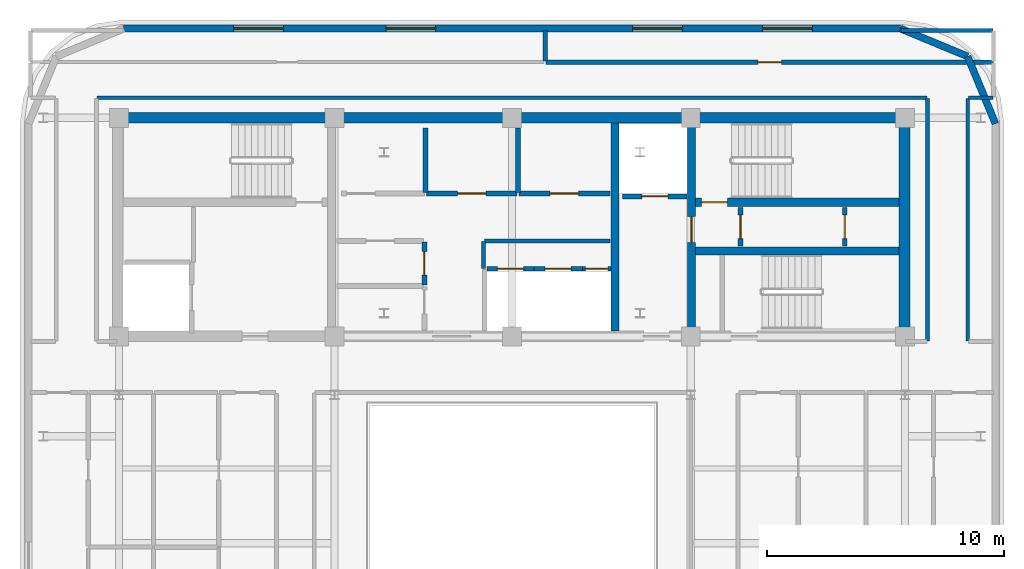
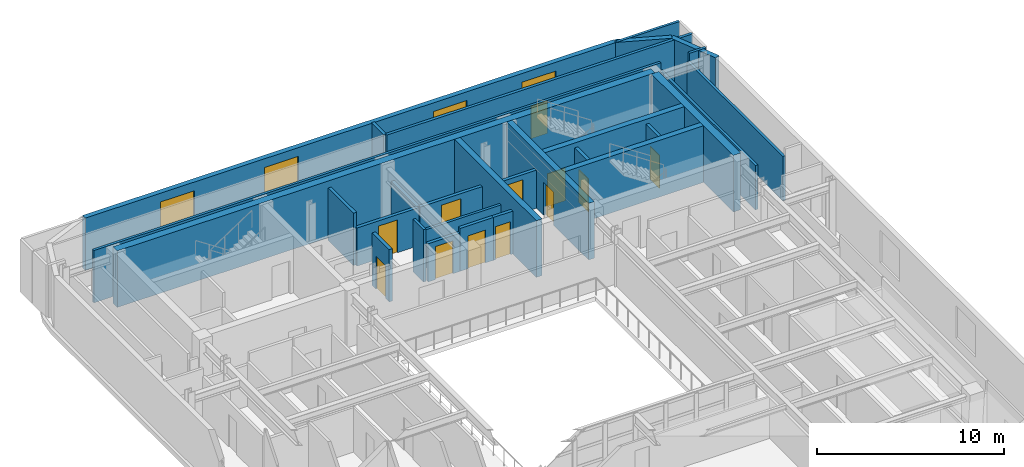
# One storey, part 9 of 13: 29 walls, 12 doors, 4 windows, 16 openings.
"""IFC4 building model written with IfcOpenShell, lengths in metres."""

from ifc_helpers import new_model, si_unit, direction, frame, frame_2d, origin, place, context, subcontext, project, spatial, rectangle, extrude, material, layer, layer_set, type_object, element, fill, save


model = new_model("IFC4")

# Units and contexts
model_context = context("Model", 3, precision=1e-05, world=origin(), true_north=direction((0.0, 1.0)))
body_context = subcontext(model_context, "Body", "Model", "MODEL_VIEW")
ifc_project = project(units=[si_unit("LENGTHUNIT", "METRE"), si_unit("AREAUNIT", "SQUARE_METRE"), si_unit("VOLUMEUNIT", "CUBIC_METRE"), si_unit("PLANEANGLEUNIT", "RADIAN"), si_unit("MASSUNIT", "GRAM", prefix="KILO")], contexts=[model_context])

# Site, building, storey
site_placement = place(None, origin())
site = spatial("IfcSite", under=ifc_project, at=site_placement, CompositionType="ELEMENT")
building_placement = place(site_placement, origin())
building = spatial("IfcBuilding", under=site, at=building_placement, Name="Zarnavel Station Tower", CompositionType="ELEMENT")
storey_placement = place(building_placement, frame((0.0, 0.0, 254.699951171875)))
storey = spatial("IfcBuildingStorey", under=building, at=storey_placement, Name="L69", CompositionType="ELEMENT", Elevation=254.699951171875)

# Wall
ifc_material_1 = material(Name="Concrete C50/60", Category="concrete")
ifc_layer_1 = layer(ifc_material_1, 0.35009765625)
ifc_layer_set_1 = layer_set([ifc_layer_1], Name="CW_350")
wall_type_1 = type_object("IfcWallType", Name="CW_350", PredefinedType="SHEAR", material=ifc_layer_set_1)
wall_1_placement = place(storey_placement, frame((33.14990234375, 28.044921875, 0.0), z_axis=(0.0, 0.0, 1.0), x_axis=(0.0, 1.0, 0.0)))
element("IfcWall", 1, at=wall_1_placement, inside=storey, type_object=wall_type_1, Name="L69 Rear Core Shear Wall DIV-E", PredefinedType="SHEAR", context=body_context, shape_type="SweptSolid", body=[
    extrude(rectangle(XDim=8.780029296875, YDim=0.35009765625, at=frame_2d((4.39013671875, 0.0))), origin(), (0.0, 0.0, 1.0), 3.699951171875),
])

# Wall, opening, door
wall_2_placement = place(storey_placement, frame((36.3798828125, 28.044921875, 0.0), z_axis=(0.0, 0.0, 1.0), x_axis=(0.0, 1.0, 0.0)))
wall_2 = element("IfcWall", 2, at=wall_2_placement, inside=storey, type_object=wall_type_1, Name="L69 Rear Core Shear Wall DIV-S2", PredefinedType="SHEAR", context=body_context, shape_type="SweptSolid", body=[
    extrude(rectangle(XDim=8.780029296875, YDim=0.35009765625, at=frame_2d((4.39013671875, 0.0))), origin(), (0.0, 0.0, 1.0), 3.699951171875),
])
opening_1_placement = place(wall_2_placement, frame((3.735107421875, 0.0, 0.0)))
opening_1 = element("IfcOpeningElement", 3, at=opening_1_placement, cuts=wall_2, Name="Opening FD01", PredefinedType="OPENING", context=body_context, shape_type="SweptSolid", body=[
    extrude(rectangle(XDim=1.10009765625, YDim=2.14990234375, at=frame_2d((0.550048828125, 1.074951171875))), frame((0.0, 0.18505859375, 0.0), z_axis=(0.0, -1.0, 0.0), x_axis=(1.0, 0.0, 0.0)), (0.0, 0.0, 1.0), 0.3701171875),
])
ifc_material_2 = material(Name="Painted Galvanised Steel and Hardwood Leaf", Category="steel")
door_type_1 = type_object("IfcDoorType", Name="ID_STAIR_1100", OperationType="NOTDEFINED", PredefinedType="DOOR", material=ifc_material_2)
door_1_placement = place(opening_1_placement, origin())
door_1 = element("IfcDoor", 4, at=door_1_placement, inside=storey, type_object=door_type_1, Name="L69 East Stair Vestibule Fire Door", OperationType="SINGLE_SWING_LEFT", OverallHeight=2.14990234375, OverallWidth=1.10009765625, PredefinedType="DOOR", context=body_context, shape_type="SweptSolid", body=[
    extrude(rectangle(XDim=1.10009765625, YDim=2.14990234375, at=frame_2d((0.550048828125, 1.074951171875))), frame((0.0, 0.02490234375, 0.0), z_axis=(0.0, -1.0, 0.0), x_axis=(1.0, 0.0, 0.0)), (0.0, 0.0, 1.0), 0.050048828125),
])
fill(opening_1, door_1)

wall_3_placement = place(storey_placement, frame((45.155029296875, 33.47998046875, 0.0), z_axis=(0.0, 0.0, 1.0), x_axis=(-1.0, 0.0, 0.0)))
wall_3 = element("IfcWall", 5, at=wall_3_placement, inside=storey, type_object=wall_type_1, Name="L69 Rear Core Shear Wall DIV-H2", PredefinedType="SHEAR", context=body_context, shape_type="SweptSolid", body=[
    extrude(rectangle(XDim=8.60009765625, YDim=0.35009765625, at=frame_2d((4.300048828125, 0.0))), origin(), (0.0, 0.0, 1.0), 3.699951171875),
])
opening_2_placement = place(wall_3_placement, frame((7.2548828125, 0.0, 0.0)))
opening_2 = element("IfcOpeningElement", 6, at=opening_2_placement, cuts=wall_3, Name="Opening FD01", PredefinedType="OPENING", context=body_context, shape_type="SweptSolid", body=[
    extrude(rectangle(XDim=1.10009765625, YDim=2.14990234375, at=frame_2d((0.550048828125, 1.074951171875))), frame((0.0, 0.18505859375, 0.0), z_axis=(0.0, -1.0, 0.0), x_axis=(1.0, 0.0, 0.0)), (0.0, 0.0, 1.0), 0.3701171875),
])
door_2_placement = place(opening_2_placement, origin())
door_2 = element("IfcDoor", 7, at=door_2_placement, inside=storey, type_object=door_type_1, Name="L69 Stair ST2 Lobby Fire Door", OperationType="SINGLE_SWING_RIGHT", OverallHeight=2.14990234375, OverallWidth=1.10009765625, PredefinedType="DOOR", context=body_context, shape_type="SweptSolid", body=[
    extrude(rectangle(XDim=1.10009765625, YDim=2.14990234375, at=frame_2d((0.550048828125, 1.074951171875))), frame((0.0, 0.02490234375, 0.0), z_axis=(0.0, -1.0, 0.0), x_axis=(1.0, 0.0, 0.0)), (0.0, 0.0, 1.0), 0.050048828125),
])
fill(opening_2, door_2)

# Walls
wall_4_placement = place(storey_placement, frame((36.554931640625, 31.419921875, 0.0), z_axis=(0.0, 0.0, 1.0), x_axis=(1.0, 0.0, 0.0)))
element("IfcWall", 8, at=wall_4_placement, inside=storey, type_object=wall_type_1, Name="L69 Rear Core Shear Wall DIV-H3", PredefinedType="SHEAR", context=body_context, shape_type="SweptSolid", body=[
    extrude(rectangle(XDim=8.60009765625, YDim=0.35009765625, at=frame_2d((4.300048828125, 0.0))), origin(), (0.0, 0.0, 1.0), 3.699951171875),
])
ifc_material_3 = material(Name="Concrete C50/60", Category="concrete")
ifc_layer_2 = layer(ifc_material_3, 0.449951171875)
ifc_layer_set_2 = layer_set([ifc_layer_2], Name="CW_450")
wall_type_2 = type_object("IfcWallType", Name="CW_450", PredefinedType="SHEAR", material=ifc_layer_set_2)
wall_5_placement = place(storey_placement, frame((12.14990234375, 37.050048828125, 0.0), z_axis=(0.0, 0.0, 1.0), x_axis=(1.0, 0.0, 0.0)))
element("IfcWall", 9, at=wall_5_placement, inside=storey, type_object=wall_type_2, Name="L69 Rear Core Shear Wall N", PredefinedType="SHEAR", context=body_context, shape_type="SweptSolid", body=[
    extrude(rectangle(XDim=33.22998046875, YDim=0.449951171875, at=frame_2d((16.614990234375, 0.0))), origin(), (0.0, 0.0, 1.0), 3.699951171875),
])
wall_6_placement = place(storey_placement, frame((45.3798828125, 28.044921875, 0.0), z_axis=(0.0, 0.0, 1.0), x_axis=(0.0, 1.0, 0.0)))
element("IfcWall", 10, at=wall_6_placement, inside=storey, type_object=wall_type_2, Name="L69 Rear Core Shear Wall E", PredefinedType="SHEAR", context=body_context, shape_type="SweptSolid", body=[
    extrude(rectangle(XDim=8.780029296875, YDim=0.449951171875, at=frame_2d((4.39013671875, 0.0))), origin(), (0.0, 0.0, 1.0), 3.699951171875),
])
ifc_material_4 = material(Name="Precast concrete C45/55 (Dark Basalt Finish)", Category="masonry")
ifc_layer_3 = layer(ifc_material_4, 0.300048828125)
ifc_layer_set_3 = layer_set([ifc_layer_3], Name="EW_BASALT_300")
wall_type_3 = type_object("IfcWallType", Name="EW_BASALT_300", PredefinedType="SOLIDWALL", material=ifc_layer_set_3)
for number, where, z_axis, x_axis, name in (
    (11, (48.04248046875, 39.642578125, 0.0), (0.0, 0.0, 1.0), (0.382704529509, -0.923870793506, 0.0), "L69 Exterior Basalt Masonry Frame Wall 04"),
    (12, (45.199951171875, 40.820068359375, 0.0), (0.0, 0.0, 1.0), (0.923870793506, -0.382704529509, 0.0), "L69 Exterior Basalt Masonry Frame Wall 05"),
):
    element("IfcWall", number, at=place(storey_placement, frame(where, z_axis=z_axis, x_axis=x_axis)), inside=storey, type_object=wall_type_3, Name=name, PredefinedType="SOLIDWALL", context=body_context, shape_type="SweptSolid", body=[
        extrude(rectangle(XDim=3.07666015625, YDim=0.300048828125, at=frame_2d((1.538330078125, 0.0))), origin(), (0.0, 0.0, 1.0), 3.420166015625),
    ])

# Wall, openings, windows
wall_7_placement = place(storey_placement, frame((12.39990234375, 40.820068359375, 0.0), z_axis=(0.0, 0.0, 1.0), x_axis=(1.0, 0.0, 0.0)))
wall_7 = element("IfcWall", 13, at=wall_7_placement, inside=storey, type_object=wall_type_3, Name="L69 Exterior Basalt Masonry Frame Wall 06", PredefinedType="SOLIDWALL", context=body_context, shape_type="SweptSolid", body=[
    extrude(rectangle(XDim=32.800048828125, YDim=0.300048828125, at=frame_2d((16.39990234375, 0.0))), origin(), (0.0, 0.0, 1.0), 3.420166015625),
])
opening_3_placement = place(wall_7_placement, frame((4.646728515625, 0.0, 0.75)))
opening_3 = element("IfcOpeningElement", 14, at=opening_3_placement, cuts=wall_7, Name="Opening WN05", PredefinedType="OPENING", context=body_context, shape_type="SweptSolid", body=[
    extrude(rectangle(XDim=2.10009765625, YDim=2.10009765625, at=frame_2d((1.050048828125, 1.050048828125))), frame((0.0, 0.159912109375, 0.0), z_axis=(0.0, -1.0, 0.0), x_axis=(1.0, 0.0, 0.0)), (0.0, 0.0, 1.0), 0.320068359375),
])
opening_4_placement = place(wall_7_placement, frame((11.0732421875, 0.0, 0.75)))
opening_4 = element("IfcOpeningElement", 15, at=opening_4_placement, cuts=wall_7, Name="Opening WN05", PredefinedType="OPENING", context=body_context, shape_type="SweptSolid", body=[
    extrude(rectangle(XDim=2.10009765625, YDim=2.10009765625, at=frame_2d((1.050048828125, 1.050048828125))), frame((0.0, 0.159912109375, 0.0), z_axis=(0.0, -1.0, 0.0), x_axis=(1.0, 0.0, 0.0)), (0.0, 0.0, 1.0), 0.320068359375),
])
opening_5_placement = place(wall_7_placement, frame((21.493408203125, 0.0, 0.75)))
opening_5 = element("IfcOpeningElement", 16, at=opening_5_placement, cuts=wall_7, Name="Opening WN05", PredefinedType="OPENING", context=body_context, shape_type="SweptSolid", body=[
    extrude(rectangle(XDim=2.10009765625, YDim=2.10009765625, at=frame_2d((1.050048828125, 1.050048828125))), frame((0.0, 0.159912109375, 0.0), z_axis=(0.0, -1.0, 0.0), x_axis=(1.0, 0.0, 0.0)), (0.0, 0.0, 1.0), 0.320068359375),
])
opening_6_placement = place(wall_7_placement, frame((26.98681640625, 0.0, 0.75)))
opening_6 = element("IfcOpeningElement", 17, at=opening_6_placement, cuts=wall_7, Name="Opening WN05", PredefinedType="OPENING", context=body_context, shape_type="SweptSolid", body=[
    extrude(rectangle(XDim=2.10009765625, YDim=2.10009765625, at=frame_2d((1.050048828125, 1.050048828125))), frame((0.0, 0.159912109375, 0.0), z_axis=(0.0, -1.0, 0.0), x_axis=(1.0, 0.0, 0.0)), (0.0, 0.0, 1.0), 0.320068359375),
])
ifc_material_5 = material(Name="Thermally Broken Black Aluminium and Low-E Dark Glass", Category="aluminium")
window_type = type_object("IfcWindowType", Name="WN_2100x2100", PartitioningType="TRIPLE_PANEL_VERTICAL", PredefinedType="WINDOW", material=ifc_material_5)
window_1_placement = place(opening_3_placement, origin())
window_1 = element("IfcWindow", 18, at=window_1_placement, inside=storey, type_object=window_type, Name="L69 Recessed Facade Window 01", OverallHeight=2.10009765625, OverallWidth=2.10009765625, PartitioningType="SINGLE_PANEL", PredefinedType="WINDOW", context=body_context, shape_type="SweptSolid", body=[
    extrude(rectangle(XDim=2.10009765625, YDim=2.10009765625, at=frame_2d((1.050048828125, 1.050048828125))), frame((0.0, 0.030029296875, 0.0), z_axis=(0.0, -1.0, 0.0), x_axis=(1.0, 0.0, 0.0)), (0.0, 0.0, 1.0), 0.06005859375),
])
fill(opening_3, window_1)
window_2_placement = place(opening_4_placement, origin())
window_2 = element("IfcWindow", 19, at=window_2_placement, inside=storey, type_object=window_type, Name="L69 Recessed Facade Window 02", OverallHeight=2.10009765625, OverallWidth=2.10009765625, PartitioningType="SINGLE_PANEL", PredefinedType="WINDOW", context=body_context, shape_type="SweptSolid", body=[
    extrude(rectangle(XDim=2.10009765625, YDim=2.10009765625, at=frame_2d((1.050048828125, 1.050048828125))), frame((0.0, 0.030029296875, 0.0), z_axis=(0.0, -1.0, 0.0), x_axis=(1.0, 0.0, 0.0)), (0.0, 0.0, 1.0), 0.06005859375),
])
fill(opening_4, window_2)
window_3_placement = place(opening_5_placement, origin())
window_3 = element("IfcWindow", 20, at=window_3_placement, inside=storey, type_object=window_type, Name="L69 Recessed Facade Window 03", OverallHeight=2.10009765625, OverallWidth=2.10009765625, PartitioningType="SINGLE_PANEL", PredefinedType="WINDOW", context=body_context, shape_type="SweptSolid", body=[
    extrude(rectangle(XDim=2.10009765625, YDim=2.10009765625, at=frame_2d((1.050048828125, 1.050048828125))), frame((0.0, 0.030029296875, 0.0), z_axis=(0.0, -1.0, 0.0), x_axis=(1.0, 0.0, 0.0)), (0.0, 0.0, 1.0), 0.06005859375),
])
fill(opening_5, window_3)
window_4_placement = place(opening_6_placement, origin())
window_4 = element("IfcWindow", 21, at=window_4_placement, inside=storey, type_object=window_type, Name="L69 Recessed Facade Window 04", OverallHeight=2.10009765625, OverallWidth=2.10009765625, PartitioningType="SINGLE_PANEL", PredefinedType="WINDOW", context=body_context, shape_type="SweptSolid", body=[
    extrude(rectangle(XDim=2.10009765625, YDim=2.10009765625, at=frame_2d((1.050048828125, 1.050048828125))), frame((0.0, 0.030029296875, 0.0), z_axis=(0.0, -1.0, 0.0), x_axis=(1.0, 0.0, 0.0)), (0.0, 0.0, 1.0), 0.06005859375),
])
fill(opening_6, window_4)

# Walls
ifc_material_6 = material(Name="Gypsum Twin-Stud Acoustic Fire Partition", Category="concrete")
ifc_layer_4 = layer(ifc_material_6, 0.159912109375)
ifc_layer_set_4 = layer_set([ifc_layer_4], Name="PT_DEMISE_160")
wall_type_4 = type_object("IfcWallType", Name="PT_DEMISE_160", PredefinedType="PARTITIONING", material=ifc_layer_set_4)
wall_8_placement = place(storey_placement, frame((27.6298828125, 31.85009765625, 0.0), z_axis=(0.0, 0.0, 1.0), x_axis=(1.0, 0.0, 0.0)))
element("IfcWall", 22, at=wall_8_placement, inside=storey, type_object=wall_type_4, Name="L69 Enclosure Wall LLOB", PredefinedType="PARTITIONING", context=body_context, shape_type="SweptSolid", body=[
    extrude(rectangle(XDim=5.31005859375, YDim=0.159912109375, at=frame_2d((2.655029296875, 0.0))), origin(), (0.0, 0.0, 1.0), 2.489990234375),
])
wall_9_placement = place(storey_placement, frame((27.60009765625, 30.679931640625, 0.0), z_axis=(0.0, 0.0, 1.0), x_axis=(0.0, 1.0, 0.0)))
element("IfcWall", 23, at=wall_9_placement, inside=storey, type_object=wall_type_4, Name="L69 Enclosure Wall LLOBS", PredefinedType="PARTITIONING", context=body_context, shape_type="SweptSolid", body=[
    extrude(rectangle(XDim=1.14013671875, YDim=0.159912109375, at=frame_2d((0.570068359375, 0.0))), origin(), (0.0, 0.0, 1.0), 3.420166015625),
])
for number, where, z_axis, x_axis, name in (
    (24, (46.35009765625, 27.6298828125, 0.0), (0.0, 0.0, 1.0), (0.0, 1.0, 0.0), "L69 Enclosure Wall COR-E"),
    (25, (48.050048828125, 27.6298828125, 0.0), (0.0, 0.0, 1.0), (0.0, 1.0, 0.0), "L69 Enclosure Wall COR-E"),
):
    element("IfcWall", number, at=place(storey_placement, frame(where, z_axis=z_axis, x_axis=x_axis)), inside=storey, type_object=wall_type_4, Name=name, PredefinedType="PARTITIONING", context=body_context, shape_type="SweptSolid", body=[
        extrude(rectangle(XDim=10.240234375, YDim=0.159912109375, at=frame_2d((5.1201171875, 0.0))), origin(), (0.0, 0.0, 1.0), 2.900146484375),
    ])
wall_10_placement = place(storey_placement, frame((11.280029296875, 37.89990234375, 0.0), z_axis=(0.0, 0.0, 1.0), x_axis=(1.0, 0.0, 0.0)))
element("IfcWall", 26, at=wall_10_placement, inside=storey, type_object=wall_type_4, Name="L69 Enclosure Wall COR-N", PredefinedType="PARTITIONING", context=body_context, shape_type="SweptSolid", body=[
    extrude(rectangle(XDim=35.0400390625, YDim=0.159912109375, at=frame_2d((17.52001953125, 0.0))), origin(), (0.0, 0.0, 1.0), 3.420166015625),
])
wall_11_placement = place(storey_placement, frame((48.080078125, 37.89990234375, 0.0), z_axis=(0.0, 0.0, 1.0), x_axis=(1.0, 0.0, 0.0)))
element("IfcWall", 27, at=wall_11_placement, inside=storey, type_object=wall_type_4, Name="L69 Enclosure Wall COR-N", PredefinedType="PARTITIONING", context=body_context, shape_type="SweptSolid", body=[
    extrude(rectangle(XDim=1.030029296875, YDim=0.159912109375, at=frame_2d((0.51513671875, 0.0))), origin(), (0.0, 0.0, 1.0), 3.420166015625),
])
wall_12_placement = place(storey_placement, frame((45.22998046875, 40.739990234375, 0.0), z_axis=(0.0, 0.0, 1.0), x_axis=(1.0, 0.0, 0.0)))
element("IfcWall", 28, at=wall_12_placement, inside=storey, type_object=wall_type_4, Name="L69 Enclosure Wall NPAN", PredefinedType="PARTITIONING", context=body_context, shape_type="SweptSolid", body=[
    extrude(rectangle(XDim=3.880126953125, YDim=0.159912109375, at=frame_2d((1.93994140625, 0.0))), origin(), (0.0, 0.0, 1.0), 3.420166015625),
])

# Wall, opening, door
ifc_material_7 = material(Name="Precast concrete C45/55 (Fire Shaft Blockwork)", Category="masonry")
ifc_layer_5 = layer(ifc_material_7, 0.199951171875)
ifc_layer_set_5 = layer_set([ifc_layer_5], Name="PT_SHAFT_200")
wall_type_5 = type_object("IfcWallType", Name="PT_SHAFT_200", PredefinedType="PARTITIONING", material=ifc_layer_set_5)
wall_13_placement = place(storey_placement, frame((33.47509765625, 33.72998046875, 0.0), z_axis=(0.0, 0.0, 1.0), x_axis=(1.0, 0.0, 0.0)))
wall_13 = element("IfcWall", 29, at=wall_13_placement, inside=storey, type_object=wall_type_5, Name="L69 Lift FFL-02 Shaft Front Wall", PredefinedType="PARTITIONING", context=body_context, shape_type="SweptSolid", body=[
    extrude(rectangle(XDim=2.724853515625, YDim=0.199951171875, at=frame_2d((1.3623046875, 0.0))), origin(), (0.0, 0.0, 1.0), 2.489990234375),
])
opening_7_placement = place(wall_13_placement, frame((0.8125, 0.0, 0.0)))
opening_7 = element("IfcOpeningElement", 30, at=opening_7_placement, cuts=wall_13, Name="Opening LD01", PredefinedType="OPENING", context=body_context, shape_type="SweptSolid", body=[
    extrude(rectangle(XDim=1.10009765625, YDim=2.14990234375, at=frame_2d((0.550048828125, 1.074951171875))), frame((0.0, 0.10986328125, 0.0), z_axis=(0.0, -1.0, 0.0), x_axis=(1.0, 0.0, 0.0)), (0.0, 0.0, 1.0), 0.219970703125),
])
ifc_material_8 = material(Name="Painted Galvanised Steel and Hardwood Leaf", Category="steel")
door_type_2 = type_object("IfcDoorType", Name="LD_FF_1100", OperationType="DOUBLE_DOOR_SLIDING", PredefinedType="DOOR", material=ifc_material_8)
door_3_placement = place(opening_7_placement, origin())
door_3 = element("IfcDoor", 31, at=door_3_placement, inside=storey, type_object=door_type_2, Name="L69 Lift FFL-02 Sliding Landing Door", OperationType="DOUBLE_DOOR_SLIDING", OverallHeight=2.14990234375, OverallWidth=1.10009765625, PredefinedType="DOOR", context=body_context, shape_type="SweptSolid", body=[
    extrude(rectangle(XDim=1.10009765625, YDim=2.14990234375, at=frame_2d((0.550048828125, 1.074951171875))), frame((0.0, 0.02490234375, 0.0), z_axis=(0.0, -1.0, 0.0), x_axis=(1.0, 0.0, 0.0)), (0.0, 0.0, 1.0), 0.050048828125),
])
fill(opening_7, door_3)

wall_14_placement = place(storey_placement, frame((27.75, 30.669921875, 0.0), z_axis=(0.0, 0.0, 1.0), x_axis=(1.0, 0.0, 0.0)))
wall_14 = element("IfcWall", 32, at=wall_14_placement, inside=storey, type_object=wall_type_5, Name="L69 Lift PL-H1 Shaft Front Wall", PredefinedType="PARTITIONING", context=body_context, shape_type="SweptSolid", body=[
    extrude(rectangle(XDim=1.97509765625, YDim=0.199951171875, at=frame_2d((0.987548828125, 0.0))), origin(), (0.0, 0.0, 1.0), 2.489990234375),
])
opening_8_placement = place(wall_14_placement, frame((0.4375, 0.0, 0.0)))
opening_8 = element("IfcOpeningElement", 33, at=opening_8_placement, cuts=wall_14, Name="Opening LD02", PredefinedType="OPENING", context=body_context, shape_type="SweptSolid", body=[
    extrude(rectangle(XDim=1.10009765625, YDim=2.14990234375, at=frame_2d((0.550048828125, 1.074951171875))), frame((0.0, 0.10986328125, 0.0), z_axis=(0.0, -1.0, 0.0), x_axis=(1.0, 0.0, 0.0)), (0.0, 0.0, 1.0), 0.219970703125),
])
ifc_material_9 = material(Name="Painted Galvanised Steel and Hardwood Leaf", Category="steel")
door_type_3 = type_object("IfcDoorType", Name="LD_PAX_1100", OperationType="DOUBLE_DOOR_SLIDING", PredefinedType="DOOR", material=ifc_material_9)
door_4_placement = place(opening_8_placement, origin())
door_4 = element("IfcDoor", 34, at=door_4_placement, inside=storey, type_object=door_type_3, Name="L69 Lift PL-H1 Sliding Landing Door", OperationType="DOUBLE_DOOR_SLIDING", OverallHeight=2.14990234375, OverallWidth=1.10009765625, PredefinedType="DOOR", context=body_context, shape_type="SweptSolid", body=[
    extrude(rectangle(XDim=1.10009765625, YDim=2.14990234375, at=frame_2d((0.550048828125, 1.074951171875))), frame((0.0, 0.02490234375, 0.0), z_axis=(0.0, -1.0, 0.0), x_axis=(1.0, 0.0, 0.0)), (0.0, 0.0, 1.0), 0.050048828125),
])
fill(opening_8, door_4)

wall_15_placement = place(storey_placement, frame((29.72509765625, 30.669921875, 0.0), z_axis=(0.0, 0.0, 1.0), x_axis=(1.0, 0.0, 0.0)))
wall_15 = element("IfcWall", 35, at=wall_15_placement, inside=storey, type_object=wall_type_5, Name="L69 Lift PL-H2 Shaft Front Wall", PredefinedType="PARTITIONING", context=body_context, shape_type="SweptSolid", body=[
    extrude(rectangle(XDim=2.0498046875, YDim=0.199951171875, at=frame_2d((1.02490234375, 0.0))), origin(), (0.0, 0.0, 1.0), 2.800048828125),
])
opening_9_placement = place(wall_15_placement, frame((0.47509765625, 0.0, 0.0)))
opening_9 = element("IfcOpeningElement", 36, at=opening_9_placement, cuts=wall_15, Name="Opening LD02", PredefinedType="OPENING", context=body_context, shape_type="SweptSolid", body=[
    extrude(rectangle(XDim=1.10009765625, YDim=2.14990234375, at=frame_2d((0.550048828125, 1.074951171875))), frame((0.0, 0.10986328125, 0.0), z_axis=(0.0, -1.0, 0.0), x_axis=(1.0, 0.0, 0.0)), (0.0, 0.0, 1.0), 0.219970703125),
])
door_5_placement = place(opening_9_placement, origin())
door_5 = element("IfcDoor", 37, at=door_5_placement, inside=storey, type_object=door_type_3, Name="L69 Lift PL-H2 Sliding Landing Door", OperationType="DOUBLE_DOOR_SLIDING", OverallHeight=2.14990234375, OverallWidth=1.10009765625, PredefinedType="DOOR", context=body_context, shape_type="SweptSolid", body=[
    extrude(rectangle(XDim=1.10009765625, YDim=2.14990234375, at=frame_2d((0.550048828125, 1.074951171875))), frame((0.0, 0.02490234375, 0.0), z_axis=(0.0, -1.0, 0.0), x_axis=(1.0, 0.0, 0.0)), (0.0, 0.0, 1.0), 0.050048828125),
])
fill(opening_9, door_5)

wall_16_placement = place(storey_placement, frame((31.77490234375, 30.669921875, 0.0), z_axis=(0.0, 0.0, 1.0), x_axis=(1.0, 0.0, 0.0)))
wall_16 = element("IfcWall", 38, at=wall_16_placement, inside=storey, type_object=wall_type_5, Name="L69 Lift PL-H3 Shaft Front Wall", PredefinedType="PARTITIONING", context=body_context, shape_type="SweptSolid", body=[
    extrude(rectangle(XDim=1.2001953125, YDim=0.199951171875, at=frame_2d((0.60009765625, 0.0))), origin(), (0.0, 0.0, 1.0), 2.800048828125),
])
opening_10_placement = place(wall_16_placement, frame((0.125, 0.0, 0.0)))
opening_10 = element("IfcOpeningElement", 39, at=opening_10_placement, cuts=wall_16, Name="Opening LD03", PredefinedType="OPENING", context=body_context, shape_type="SweptSolid", body=[
    extrude(rectangle(XDim=0.949951171875, YDim=2.14990234375, at=frame_2d((0.47509765625, 1.074951171875))), frame((0.0, 0.10986328125, 0.0), z_axis=(0.0, -1.0, 0.0), x_axis=(1.0, 0.0, 0.0)), (0.0, 0.0, 1.0), 0.219970703125),
])
ifc_material_10 = material(Name="Painted Galvanised Steel and Hardwood Leaf", Category="steel")
door_type_4 = type_object("IfcDoorType", Name="LD_PAX_0950", OperationType="DOUBLE_DOOR_SLIDING", PredefinedType="DOOR", material=ifc_material_10)
door_6_placement = place(opening_10_placement, origin())
door_6 = element("IfcDoor", 40, at=door_6_placement, inside=storey, type_object=door_type_4, Name="L69 Lift PL-H3 Sliding Landing Door", OperationType="DOUBLE_DOOR_SLIDING", OverallHeight=2.14990234375, OverallWidth=0.949951171875, PredefinedType="DOOR", context=body_context, shape_type="SweptSolid", body=[
    extrude(rectangle(XDim=0.949951171875, YDim=2.14990234375, at=frame_2d((0.47509765625, 1.074951171875))), frame((0.0, 0.02490234375, 0.0), z_axis=(0.0, -1.0, 0.0), x_axis=(1.0, 0.0, 0.0)), (0.0, 0.0, 1.0), 0.050048828125),
])
fill(opening_10, door_6)

wall_17_placement = place(storey_placement, frame((38.449951171875, 31.639892578125, 0.0), z_axis=(0.0, 0.0, 1.0), x_axis=(0.0, 1.0, 0.0)))
wall_17 = element("IfcWall", 41, at=wall_17_placement, inside=storey, type_object=wall_type_5, Name="L69 Partition ESTV-CEA", PredefinedType="PARTITIONING", context=body_context, shape_type="SweptSolid", body=[
    extrude(rectangle(XDim=1.6201171875, YDim=0.199951171875, at=frame_2d((0.81005859375, 0.0))), origin(), (0.0, 0.0, 1.0), 3.420166015625),
])
opening_11_placement = place(wall_17_placement, frame((0.31005859375, 0.0, 0.0)))
opening_11 = element("IfcOpeningElement", 42, at=opening_11_placement, cuts=wall_17, Name="Opening FD02", PredefinedType="OPENING", context=body_context, shape_type="SweptSolid", body=[
    extrude(rectangle(XDim=1.0, YDim=2.14990234375, at=frame_2d((0.5, 1.074951171875))), frame((0.0, 0.10986328125, 0.0), z_axis=(0.0, -1.0, 0.0), x_axis=(1.0, 0.0, 0.0)), (0.0, 0.0, 1.0), 0.219970703125),
])
ifc_material_11 = material(Name="Painted Galvanised Steel and Hardwood Leaf", Category="steel")
door_type_5 = type_object("IfcDoorType", Name="ID_ENTRY_1000", OperationType="NOTDEFINED", PredefinedType="DOOR", material=ifc_material_11)
door_7_placement = place(opening_11_placement, origin())
door_7 = element("IfcDoor", 43, at=door_7_placement, inside=storey, type_object=door_type_5, Name="L69 Door ESTV-CEA", OperationType="SINGLE_SWING_RIGHT", OverallHeight=2.14990234375, OverallWidth=1.0, PredefinedType="DOOR", context=body_context, shape_type="SweptSolid", body=[
    extrude(rectangle(XDim=1.0, YDim=2.14990234375, at=frame_2d((0.5, 1.074951171875))), frame((0.0, 0.02490234375, 0.0), z_axis=(0.0, -1.0, 0.0), x_axis=(1.0, 0.0, 0.0)), (0.0, 0.0, 1.0), 0.050048828125),
])
fill(opening_11, door_7)

wall_18_placement = place(storey_placement, frame((42.85009765625, 31.639892578125, 0.0), z_axis=(0.0, 0.0, 1.0), x_axis=(0.0, 1.0, 0.0)))
wall_18 = element("IfcWall", 44, at=wall_18_placement, inside=storey, type_object=wall_type_5, Name="L69 Partition CEA-CEB", PredefinedType="PARTITIONING", context=body_context, shape_type="SweptSolid", body=[
    extrude(rectangle(XDim=1.6201171875, YDim=0.199951171875, at=frame_2d((0.81005859375, 0.0))), origin(), (0.0, 0.0, 1.0), 3.420166015625),
])
opening_12_placement = place(wall_18_placement, frame((0.31005859375, 0.0, 0.0)))
opening_12 = element("IfcOpeningElement", 45, at=opening_12_placement, cuts=wall_18, Name="Opening FD02", PredefinedType="OPENING", context=body_context, shape_type="SweptSolid", body=[
    extrude(rectangle(XDim=1.0, YDim=2.14990234375, at=frame_2d((0.5, 1.074951171875))), frame((0.0, 0.10986328125, 0.0), z_axis=(0.0, -1.0, 0.0), x_axis=(1.0, 0.0, 0.0)), (0.0, 0.0, 1.0), 0.219970703125),
])
door_8_placement = place(opening_12_placement, origin())
door_8 = element("IfcDoor", 46, at=door_8_placement, inside=storey, type_object=door_type_5, Name="L69 Door CEA-CEB", OperationType="SINGLE_SWING_LEFT", OverallHeight=2.14990234375, OverallWidth=1.0, PredefinedType="DOOR", context=body_context, shape_type="SweptSolid", body=[
    extrude(rectangle(XDim=1.0, YDim=2.14990234375, at=frame_2d((0.5, 1.074951171875))), frame((0.0, 0.02490234375, 0.0), z_axis=(0.0, -1.0, 0.0), x_axis=(1.0, 0.0, 0.0)), (0.0, 0.0, 1.0), 0.050048828125),
])
fill(opening_12, door_8)

wall_19_placement = place(storey_placement, frame((25.18994140625, 33.85009765625, 0.0), z_axis=(0.0, 0.0, 1.0), x_axis=(1.0, 0.0, 0.0)))
wall_19 = element("IfcWall", 47, at=wall_19_placement, inside=storey, type_object=wall_type_5, Name="L69 Partition LLOB-FB2B", PredefinedType="PARTITIONING", context=body_context, shape_type="SweptSolid", body=[
    extrude(rectangle(XDim=3.820068359375, YDim=0.199951171875, at=frame_2d((1.91015625, 0.0))), origin(), (0.0, 0.0, 1.0), 2.489990234375),
])
opening_13_placement = place(wall_19_placement, frame((1.31005859375, 0.0, 0.0)))
opening_13 = element("IfcOpeningElement", 48, at=opening_13_placement, cuts=wall_19, Name="Opening FD03", PredefinedType="OPENING", context=body_context, shape_type="SweptSolid", body=[
    extrude(rectangle(XDim=1.199951171875, YDim=2.14990234375, at=frame_2d((0.60009765625, 1.074951171875))), frame((0.0, 0.10986328125, 0.0), z_axis=(0.0, -1.0, 0.0), x_axis=(1.0, 0.0, 0.0)), (0.0, 0.0, 1.0), 0.219970703125),
])
ifc_material_12 = material(Name="Painted Galvanised Steel and Hardwood Leaf", Category="steel")
door_type_6 = type_object("IfcDoorType", Name="ID_PLANT_1200", OperationType="NOTDEFINED", PredefinedType="DOOR", material=ifc_material_12)
door_9_placement = place(opening_13_placement, origin())
door_9 = element("IfcDoor", 49, at=door_9_placement, inside=storey, type_object=door_type_6, Name="L69 Door LLOB-FB2B", OperationType="SINGLE_SWING_RIGHT", OverallHeight=2.14990234375, OverallWidth=1.199951171875, PredefinedType="DOOR", context=body_context, shape_type="SweptSolid", body=[
    extrude(rectangle(XDim=1.199951171875, YDim=2.14990234375, at=frame_2d((0.60009765625, 1.074951171875))), frame((0.0, 0.02490234375, 0.0), z_axis=(0.0, -1.0, 0.0), x_axis=(1.0, 0.0, 0.0)), (0.0, 0.0, 1.0), 0.050048828125),
])
fill(opening_13, door_9)

wall_20_placement = place(storey_placement, frame((29.090087890625, 33.85009765625, 0.0), z_axis=(0.0, 0.0, 1.0), x_axis=(1.0, 0.0, 0.0)))
wall_20 = element("IfcWall", 50, at=wall_20_placement, inside=storey, type_object=wall_type_5, Name="L69 Partition LLOB-FB2C", PredefinedType="PARTITIONING", context=body_context, shape_type="SweptSolid", body=[
    extrude(rectangle(XDim=3.83984375, YDim=0.199951171875, at=frame_2d((1.919921875, 0.0))), origin(), (0.0, 0.0, 1.0), 2.489990234375),
])
opening_14_placement = place(wall_20_placement, frame((1.320068359375, 0.0, 0.0)))
opening_14 = element("IfcOpeningElement", 51, at=opening_14_placement, cuts=wall_20, Name="Opening FD03", PredefinedType="OPENING", context=body_context, shape_type="SweptSolid", body=[
    extrude(rectangle(XDim=1.199951171875, YDim=2.14990234375, at=frame_2d((0.60009765625, 1.074951171875))), frame((0.0, 0.10986328125, 0.0), z_axis=(0.0, -1.0, 0.0), x_axis=(1.0, 0.0, 0.0)), (0.0, 0.0, 1.0), 0.219970703125),
])
door_10_placement = place(opening_14_placement, origin())
door_10 = element("IfcDoor", 52, at=door_10_placement, inside=storey, type_object=door_type_6, Name="L69 Door LLOB-FB2C", OperationType="SINGLE_SWING_LEFT", OverallHeight=2.14990234375, OverallWidth=1.199951171875, PredefinedType="DOOR", context=body_context, shape_type="SweptSolid", body=[
    extrude(rectangle(XDim=1.199951171875, YDim=2.14990234375, at=frame_2d((0.60009765625, 1.074951171875))), frame((0.0, 0.02490234375, 0.0), z_axis=(0.0, -1.0, 0.0), x_axis=(1.0, 0.0, 0.0)), (0.0, 0.0, 1.0), 0.050048828125),
])
fill(opening_14, door_10)

wall_21_placement = place(storey_placement, frame((25.10009765625, 29.989990234375, 0.0), z_axis=(0.0, 0.0, 1.0), x_axis=(0.0, 1.0, 0.0)))
wall_21 = element("IfcWall", 53, at=wall_21_placement, inside=storey, type_object=wall_type_5, Name="L69 Partition LLOBS-CS2", PredefinedType="PARTITIONING", context=body_context, shape_type="SweptSolid", body=[
    extrude(rectangle(XDim=1.820068359375, YDim=0.199951171875, at=frame_2d((0.91015625, 0.0))), origin(), (0.0, 0.0, 1.0), 3.420166015625),
])
opening_15_placement = place(wall_21_placement, frame((0.409912109375, 0.0, 0.0)))
opening_15 = element("IfcOpeningElement", 54, at=opening_15_placement, cuts=wall_21, Name="Opening FD02", PredefinedType="OPENING", context=body_context, shape_type="SweptSolid", body=[
    extrude(rectangle(XDim=1.0, YDim=2.14990234375, at=frame_2d((0.5, 1.074951171875))), frame((0.0, 0.10986328125, 0.0), z_axis=(0.0, -1.0, 0.0), x_axis=(1.0, 0.0, 0.0)), (0.0, 0.0, 1.0), 0.219970703125),
])
door_11_placement = place(opening_15_placement, origin())
door_11 = element("IfcDoor", 55, at=door_11_placement, inside=storey, type_object=door_type_5, Name="L69 Door LLOBS-CS2", OperationType="SINGLE_SWING_LEFT", OverallHeight=2.14990234375, OverallWidth=1.0, PredefinedType="DOOR", context=body_context, shape_type="SweptSolid", body=[
    extrude(rectangle(XDim=1.0, YDim=2.14990234375, at=frame_2d((0.5, 1.074951171875))), frame((0.0, 0.02490234375, 0.0), z_axis=(0.0, -1.0, 0.0), x_axis=(1.0, 0.0, 0.0)), (0.0, 0.0, 1.0), 0.050048828125),
])
fill(opening_15, door_11)

# Walls
wall_22_placement = place(storey_placement, frame((25.14990234375, 33.889892578125, 0.0), z_axis=(0.0, 0.0, 1.0), x_axis=(0.0, 1.0, 0.0)))
element("IfcWall", 56, at=wall_22_placement, inside=storey, type_object=wall_type_5, Name="L69 Partition FB2A-FB2B", PredefinedType="PARTITIONING", context=body_context, shape_type="SweptSolid", body=[
    extrude(rectangle(XDim=2.72021484375, YDim=0.199951171875, at=frame_2d((1.360107421875, 0.0))), origin(), (0.0, 0.0, 1.0), 3.420166015625),
])
wall_23_placement = place(storey_placement, frame((29.050048828125, 33.889892578125, 0.0), z_axis=(0.0, 0.0, 1.0), x_axis=(0.0, 1.0, 0.0)))
element("IfcWall", 57, at=wall_23_placement, inside=storey, type_object=wall_type_5, Name="L69 Partition FB2B-FB2C", PredefinedType="PARTITIONING", context=body_context, shape_type="SweptSolid", body=[
    extrude(rectangle(XDim=2.72021484375, YDim=0.199951171875, at=frame_2d((1.360107421875, 0.0))), origin(), (0.0, 0.0, 1.0), 2.489990234375),
])

# Wall, opening, door
ifc_material_13 = material(Name="Moisture-Resistant Plumbing Chase Wall", Category="concrete")
ifc_layer_6 = layer(ifc_material_13, 0.179931640625)
ifc_layer_set_6 = layer_set([ifc_layer_6], Name="PW_PLUMB_180")
wall_type_6 = type_object("IfcWallType", Name="PW_PLUMB_180", PredefinedType="PLUMBINGWALL", material=ifc_layer_set_6)
wall_24_placement = place(storey_placement, frame((30.239990234375, 39.39990234375, 0.0), z_axis=(0.0, 0.0, 1.0), x_axis=(1.0, 0.0, 0.0)))
wall_24 = element("IfcWall", 58, at=wall_24_placement, inside=storey, type_object=wall_type_6, Name="L69 Partition COR-N-NPAN", PredefinedType="PLUMBINGWALL", context=body_context, shape_type="SweptSolid", body=[
    extrude(rectangle(XDim=18.89990234375, YDim=0.179931640625, at=frame_2d((9.449951171875, 0.0))), origin(), (0.0, 0.0, 1.0), 3.420166015625),
])
opening_16_placement = place(wall_24_placement, frame((8.949951171875, 0.0, 0.0)))
opening_16 = element("IfcOpeningElement", 59, at=opening_16_placement, cuts=wall_24, Name="Opening FD02", PredefinedType="OPENING", context=body_context, shape_type="SweptSolid", body=[
    extrude(rectangle(XDim=1.0, YDim=2.14990234375, at=frame_2d((0.5, 1.074951171875))), frame((0.0, 0.099853515625, 0.0), z_axis=(0.0, -1.0, 0.0), x_axis=(1.0, 0.0, 0.0)), (0.0, 0.0, 1.0), 0.199951171875),
])
door_12_placement = place(opening_16_placement, origin())
door_12 = element("IfcDoor", 60, at=door_12_placement, inside=storey, type_object=door_type_5, Name="L69 Door COR-N-NPAN", OperationType="SINGLE_SWING_RIGHT", OverallHeight=2.14990234375, OverallWidth=1.0, PredefinedType="DOOR", context=body_context, shape_type="SweptSolid", body=[
    extrude(rectangle(XDim=1.0, YDim=2.14990234375, at=frame_2d((0.5, 1.074951171875))), frame((0.0, 0.02490234375, 0.0), z_axis=(0.0, -1.0, 0.0), x_axis=(1.0, 0.0, 0.0)), (0.0, 0.0, 1.0), 0.050048828125),
])
fill(opening_16, door_12)

# Wall
wall_25_placement = place(storey_placement, frame((30.199951171875, 39.43994140625, 0.0), z_axis=(0.0, 0.0, 1.0), x_axis=(0.0, 1.0, 0.0)))
element("IfcWall", 61, at=wall_25_placement, inside=storey, type_object=wall_type_6, Name="L69 Partition NLOU-NPAN", PredefinedType="PLUMBINGWALL", context=body_context, shape_type="SweptSolid", body=[
    extrude(rectangle(XDim=1.300048828125, YDim=0.179931640625, at=frame_2d((0.64990234375, 0.0))), origin(), (0.0, 0.0, 1.0), 3.420166015625),
])

save(model, "model.ifc")
